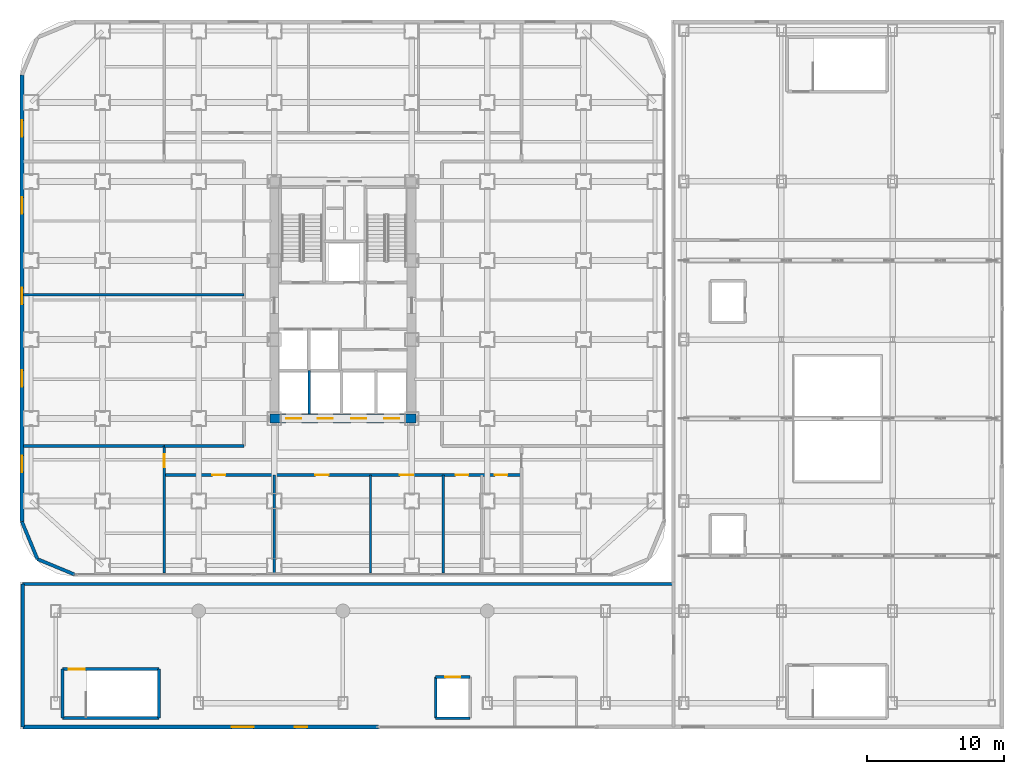
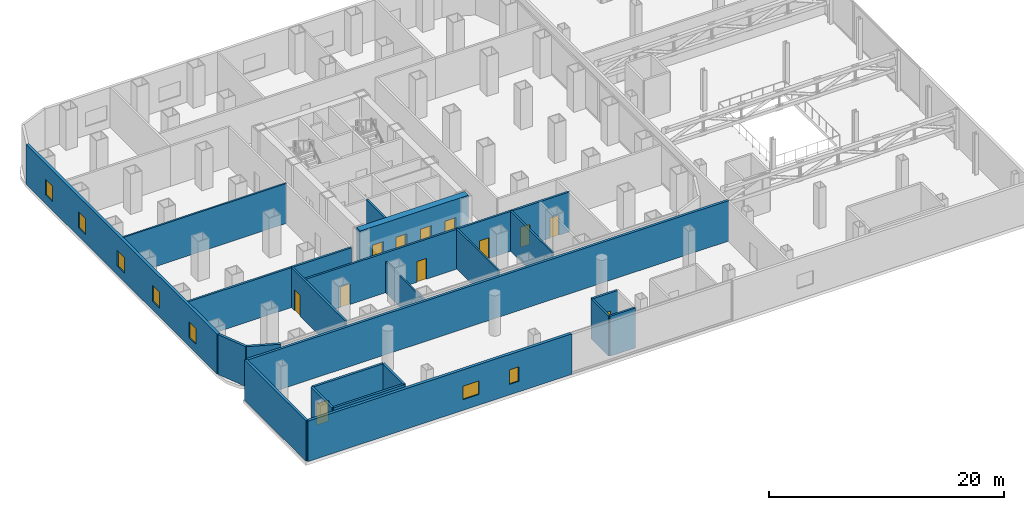
# One storey, part 22 of 28: 23 walls, 12 doors, 7 windows, 19 openings.
"""IFC4 building model written with IfcOpenShell, lengths in metres."""

from ifc_helpers import new_model, si_unit, direction, frame, frame_2d, origin, place, context, subcontext, project, spatial, rectangle, extrude, material, layer, layer_set, type_object, element, fill, save


model = new_model("IFC4")

# Units and contexts
model_context = context("Model", 3, precision=1e-05, world=origin(), true_north=direction((0.0, 1.0)))
body_context = subcontext(model_context, "Body", "Model", "MODEL_VIEW")
ifc_project = project(units=[si_unit("LENGTHUNIT", "METRE"), si_unit("AREAUNIT", "SQUARE_METRE"), si_unit("VOLUMEUNIT", "CUBIC_METRE"), si_unit("PLANEANGLEUNIT", "RADIAN"), si_unit("MASSUNIT", "GRAM", prefix="KILO")], contexts=[model_context])

# Site, building, storey
site_placement = place(None, origin())
site = spatial("IfcSite", under=ifc_project, at=site_placement, CompositionType="ELEMENT")
building_placement = place(site_placement, origin())
building = spatial("IfcBuilding", under=site, at=building_placement, Name="Kolveth Station Tower", CompositionType="ELEMENT")
storey_placement = place(building_placement, frame((0.0, 0.0, 18.0)))
storey = spatial("IfcBuildingStorey", under=building, at=storey_placement, Name="L04", CompositionType="ELEMENT", Elevation=18.0)

# Wall, openings, doors
ifc_material_1 = material(Name="Concrete C60/75", Category="concrete")
ifc_layer_1 = layer(ifc_material_1, 0.64990234375)
ifc_layer_set_1 = layer_set([ifc_layer_1], Name="Concrete C60/75")
wall_type_1 = type_object("IfcWallType", Name="Wall_CW-650", PredefinedType="SHEAR", material=ifc_layer_set_1)
wall_1_placement = place(storey_placement, frame((18.175048828125, 11.5, 0.0), z_axis=(0.0, 0.0, 1.0), x_axis=(1.0, 0.0, 0.0)))
wall_1 = element("IfcWall", 1, at=wall_1_placement, inside=storey, type_object=wall_type_1, Name="L04 Core RC Shear Wall S", PredefinedType="SHEAR", context=body_context, shape_type="SweptSolid", body=[
    extrude(rectangle(XDim=10.64990234375, YDim=0.64990234375, at=frame_2d((5.324951171875, 0.0))), origin(), (0.0, 0.0, 1.0), 4.139892578125),
])
opening_1_placement = place(wall_1_placement, frame((1.195068359375, 0.0, 0.0)))
opening_1 = element("IfcOpeningElement", 2, at=opening_1_placement, cuts=wall_1, Name="Opening LD1", PredefinedType="OPENING", context=body_context, shape_type="SweptSolid", body=[
    extrude(rectangle(XDim=1.10009765625, YDim=2.25, at=frame_2d((0.550048828125, 1.125))), frame((0.0, 0.3349609375, 0.0), z_axis=(0.0, -1.0, 0.0), x_axis=(1.0, 0.0, 0.0)), (0.0, 0.0, 1.0), 0.669921875),
])
opening_2_placement = place(wall_1_placement, frame((3.4951171875, 0.0, 0.0)))
opening_2 = element("IfcOpeningElement", 3, at=opening_2_placement, cuts=wall_1, Name="Opening LD1", PredefinedType="OPENING", context=body_context, shape_type="SweptSolid", body=[
    extrude(rectangle(XDim=1.10009765625, YDim=2.25, at=frame_2d((0.550048828125, 1.125))), frame((0.0, 0.3349609375, 0.0), z_axis=(0.0, -1.0, 0.0), x_axis=(1.0, 0.0, 0.0)), (0.0, 0.0, 1.0), 0.669921875),
])
opening_3_placement = place(wall_1_placement, frame((5.925048828125, 0.0, 0.0)))
opening_3 = element("IfcOpeningElement", 4, at=opening_3_placement, cuts=wall_1, Name="Opening LD1", PredefinedType="OPENING", context=body_context, shape_type="SweptSolid", body=[
    extrude(rectangle(XDim=1.10009765625, YDim=2.25, at=frame_2d((0.550048828125, 1.125))), frame((0.0, 0.3349609375, 0.0), z_axis=(0.0, -1.0, 0.0), x_axis=(1.0, 0.0, 0.0)), (0.0, 0.0, 1.0), 0.669921875),
])
opening_4_placement = place(wall_1_placement, frame((8.324951171875, 0.0, 0.0)))
opening_4 = element("IfcOpeningElement", 5, at=opening_4_placement, cuts=wall_1, Name="Opening LD1", PredefinedType="OPENING", context=body_context, shape_type="SweptSolid", body=[
    extrude(rectangle(XDim=1.10009765625, YDim=2.25, at=frame_2d((0.550048828125, 1.125))), frame((0.0, 0.3349609375, 0.0), z_axis=(0.0, -1.0, 0.0), x_axis=(1.0, 0.0, 0.0)), (0.0, 0.0, 1.0), 0.669921875),
])
ifc_material_2 = material(Name="Brushed stainless steel sliding landing doors", Category="steel")
door_type_1 = type_object("IfcDoorType", Name="Door_LD1", OperationType="NOTDEFINED", PredefinedType="DOOR", material=ifc_material_2)
door_1_placement = place(opening_1_placement, frame((1.10009765625, 0.0, 0.0), z_axis=(0.0, 0.0, 1.0), x_axis=(-1.0, 0.0, 0.0)))
door_1 = element("IfcDoor", 6, at=door_1_placement, inside=storey, type_object=door_type_1, Name="L04 Lift PL1 Landing Door", OperationType="DOUBLE_DOOR_SLIDING", OverallHeight=2.25, OverallWidth=1.10009765625, PredefinedType="DOOR", context=body_context, shape_type="SweptSolid", body=[
    extrude(rectangle(XDim=1.10009765625, YDim=2.25, at=frame_2d((0.550048828125, 1.125))), frame((0.0, 0.02490234375, 0.0), z_axis=(0.0, -1.0, 0.0), x_axis=(1.0, 0.0, 0.0)), (0.0, 0.0, 1.0), 0.050048828125),
])
fill(opening_1, door_1)
door_2_placement = place(opening_2_placement, frame((1.10009765625, 0.0, 0.0), z_axis=(0.0, 0.0, 1.0), x_axis=(-1.0, 0.0, 0.0)))
door_2 = element("IfcDoor", 7, at=door_2_placement, inside=storey, type_object=door_type_1, Name="L04 Lift PL2 Landing Door", OperationType="DOUBLE_DOOR_SLIDING", OverallHeight=2.25, OverallWidth=1.10009765625, PredefinedType="DOOR", context=body_context, shape_type="SweptSolid", body=[
    extrude(rectangle(XDim=1.10009765625, YDim=2.25, at=frame_2d((0.550048828125, 1.125))), frame((0.0, 0.02490234375, 0.0), z_axis=(0.0, -1.0, 0.0), x_axis=(1.0, 0.0, 0.0)), (0.0, 0.0, 1.0), 0.050048828125),
])
fill(opening_2, door_2)
door_3_placement = place(opening_3_placement, frame((1.10009765625, 0.0, 0.0), z_axis=(0.0, 0.0, 1.0), x_axis=(-1.0, 0.0, 0.0)))
door_3 = element("IfcDoor", 8, at=door_3_placement, inside=storey, type_object=door_type_1, Name="L04 Lift PM1 Landing Door", OperationType="DOUBLE_DOOR_SLIDING", OverallHeight=2.25, OverallWidth=1.10009765625, PredefinedType="DOOR", context=body_context, shape_type="SweptSolid", body=[
    extrude(rectangle(XDim=1.10009765625, YDim=2.25, at=frame_2d((0.550048828125, 1.125))), frame((0.0, 0.02490234375, 0.0), z_axis=(0.0, -1.0, 0.0), x_axis=(1.0, 0.0, 0.0)), (0.0, 0.0, 1.0), 0.050048828125),
])
fill(opening_3, door_3)
door_4_placement = place(opening_4_placement, frame((1.10009765625, 0.0, 0.0), z_axis=(0.0, 0.0, 1.0), x_axis=(-1.0, 0.0, 0.0)))
door_4 = element("IfcDoor", 9, at=door_4_placement, inside=storey, type_object=door_type_1, Name="L04 Lift PH1 Landing Door", OperationType="DOUBLE_DOOR_SLIDING", OverallHeight=2.25, OverallWidth=1.10009765625, PredefinedType="DOOR", context=body_context, shape_type="SweptSolid", body=[
    extrude(rectangle(XDim=1.10009765625, YDim=2.25, at=frame_2d((0.550048828125, 1.125))), frame((0.0, 0.02490234375, 0.0), z_axis=(0.0, -1.0, 0.0), x_axis=(1.0, 0.0, 0.0)), (0.0, 0.0, 1.0), 0.050048828125),
])
fill(opening_4, door_4)

# Walls
ifc_material_3 = material(Name="Precast concrete C40/50", Category="concrete")
ifc_layer_2 = layer(ifc_material_3, 0.239990234375)
ifc_layer_set_2 = layer_set([ifc_layer_2], Name="Precast concrete C40/50")
wall_type_2 = type_object("IfcWallType", Name="Wall_EW-240", PredefinedType="SOLIDWALL", material=ifc_layer_set_2)
for number, where, z_axis, x_axis, name in (
    (10, (0.139892578125, 4.0, 0.0), (0.0, 0.0, 1.0), (0.382689947836, -0.923876833688, 0.0), "L04 Podium Rounded Corner Wall 7"),
    (11, (1.2705078125, 1.2705078125, 0.0), (0.0, 0.0, 1.0), (0.923876833688, -0.382689947836, 0.0), "L04 Podium Rounded Corner Wall 8"),
):
    element("IfcWall", number, at=place(storey_placement, frame(where, z_axis=z_axis, x_axis=x_axis)), inside=storey, type_object=wall_type_2, Name=name, PredefinedType="SOLIDWALL", context=body_context, shape_type="SweptSolid", body=[
        extrude(rectangle(XDim=2.954345703125, YDim=0.239990234375, at=frame_2d((1.47705078125, 0.0))), origin(), (0.0, 0.0, 1.0), 4.139892578125),
    ])
wall_2_placement = place(storey_placement, frame((0.199951171875, -10.949951171875, 0.0), z_axis=(0.0, 0.0, 1.0), x_axis=(0.0, 1.0, 0.0)))
element("IfcWall", 12, at=wall_2_placement, inside=storey, type_object=wall_type_2, Name="L04 Station Exterior Wall W1", PredefinedType="SOLIDWALL", context=body_context, shape_type="SweptSolid", body=[
    extrude(rectangle(XDim=10.409912109375, YDim=0.239990234375, at=frame_2d((5.205078125, 0.0))), origin(), (0.0, 0.0, 1.0), 4.199951171875),
])
wall_3_placement = place(storey_placement, frame((0.199951171875, -0.5400390625, 0.0), z_axis=(0.0, 0.0, 1.0), x_axis=(1.0, 0.0, 0.0)))
element("IfcWall", 13, at=wall_3_placement, inside=storey, type_object=wall_type_2, Name="L04 Station Exterior Wall JS", PredefinedType="SOLIDWALL", context=body_context, shape_type="SweptSolid", body=[
    extrude(rectangle(XDim=47.340087890625, YDim=0.239990234375, at=frame_2d((23.669921875, 0.0))), origin(), (0.0, 0.0, 1.0), 4.199951171875),
])

# Wall, openings, windows
ifc_layer_3 = layer(ifc_material_3, 0.280029296875)
ifc_layer_set_3 = layer_set([ifc_layer_3], Name="Precast concrete C40/50")
wall_type_3 = type_object("IfcWallType", Name="Wall_EW-280", PredefinedType="SOLIDWALL", material=ifc_layer_set_3)
wall_4_placement = place(storey_placement, frame((0.139892578125, 4.0, 0.0), z_axis=(0.0, 0.0, 1.0), x_axis=(0.0, 1.0, 0.0)))
wall_4 = element("IfcWall", 14, at=wall_4_placement, inside=storey, type_object=wall_type_3, Name="L04 Tower Podium West Exterior Wall", PredefinedType="SOLIDWALL", context=body_context, shape_type="SweptSolid", body=[
    extrude(rectangle(XDim=32.5, YDim=0.280029296875, at=frame_2d((16.25, 0.0))), origin(), (0.0, 0.0, 1.0), 4.139892578125),
])
opening_5_placement = place(wall_4_placement, frame((3.60009765625, 0.0, 0.89990234375)))
opening_5 = element("IfcOpeningElement", 15, at=opening_5_placement, cuts=wall_4, Name="Opening W4", PredefinedType="OPENING", context=body_context, shape_type="SweptSolid", body=[
    extrude(rectangle(XDim=1.199951171875, YDim=1.64990234375, at=frame_2d((0.60009765625, 0.824951171875))), frame((0.0, 0.14990234375, 0.0), z_axis=(0.0, -1.0, 0.0), x_axis=(1.0, 0.0, 0.0)), (0.0, 0.0, 1.0), 0.300048828125),
])
opening_6_placement = place(wall_4_placement, frame((9.800048828125, 0.0, 0.89990234375)))
opening_6 = element("IfcOpeningElement", 16, at=opening_6_placement, cuts=wall_4, Name="Opening W4", PredefinedType="OPENING", context=body_context, shape_type="SweptSolid", body=[
    extrude(rectangle(XDim=1.199951171875, YDim=1.64990234375, at=frame_2d((0.60009765625, 0.824951171875))), frame((0.0, 0.14990234375, 0.0), z_axis=(0.0, -1.0, 0.0), x_axis=(1.0, 0.0, 0.0)), (0.0, 0.0, 1.0), 0.300048828125),
])
opening_7_placement = place(wall_4_placement, frame((15.800048828125, 0.0, 0.89990234375)))
opening_7 = element("IfcOpeningElement", 17, at=opening_7_placement, cuts=wall_4, Name="Opening W4", PredefinedType="OPENING", context=body_context, shape_type="SweptSolid", body=[
    extrude(rectangle(XDim=1.199951171875, YDim=1.64990234375, at=frame_2d((0.60009765625, 0.824951171875))), frame((0.0, 0.14990234375, 0.0), z_axis=(0.0, -1.0, 0.0), x_axis=(1.0, 0.0, 0.0)), (0.0, 0.0, 1.0), 0.300048828125),
])
opening_8_placement = place(wall_4_placement, frame((22.39990234375, 0.0, 0.89990234375)))
opening_8 = element("IfcOpeningElement", 18, at=opening_8_placement, cuts=wall_4, Name="Opening W4", PredefinedType="OPENING", context=body_context, shape_type="SweptSolid", body=[
    extrude(rectangle(XDim=1.199951171875, YDim=1.64990234375, at=frame_2d((0.60009765625, 0.824951171875))), frame((0.0, 0.14990234375, 0.0), z_axis=(0.0, -1.0, 0.0), x_axis=(1.0, 0.0, 0.0)), (0.0, 0.0, 1.0), 0.300048828125),
])
opening_9_placement = place(wall_4_placement, frame((28.0, 0.0, 0.89990234375)))
opening_9 = element("IfcOpeningElement", 19, at=opening_9_placement, cuts=wall_4, Name="Opening W4", PredefinedType="OPENING", context=body_context, shape_type="SweptSolid", body=[
    extrude(rectangle(XDim=1.199951171875, YDim=1.64990234375, at=frame_2d((0.60009765625, 0.824951171875))), frame((0.0, 0.14990234375, 0.0), z_axis=(0.0, -1.0, 0.0), x_axis=(1.0, 0.0, 0.0)), (0.0, 0.0, 1.0), 0.300048828125),
])
ifc_material_4 = material(Name="Black anodized aluminium 6063-T6 and low-E dark glass", Category="aluminium")
window_type_1 = type_object("IfcWindowType", Name="Win_W4", PartitioningType="SINGLE_PANEL", PredefinedType="WINDOW", material=ifc_material_4)
window_1_placement = place(opening_5_placement, origin())
window_1 = element("IfcWindow", 20, at=window_1_placement, inside=storey, type_object=window_type_1, Name="L04 Tower Podium West Window 1", OverallHeight=1.64990234375, OverallWidth=1.199951171875, PartitioningType="SINGLE_PANEL", PredefinedType="WINDOW", context=body_context, shape_type="SweptSolid", body=[
    extrude(rectangle(XDim=1.199951171875, YDim=1.64990234375, at=frame_2d((0.60009765625, 0.824951171875))), frame((0.0, 0.030029296875, 0.0), z_axis=(0.0, -1.0, 0.0), x_axis=(1.0, 0.0, 0.0)), (0.0, 0.0, 1.0), 0.06005859375),
])
fill(opening_5, window_1)
window_2_placement = place(opening_6_placement, origin())
window_2 = element("IfcWindow", 21, at=window_2_placement, inside=storey, type_object=window_type_1, Name="L04 Tower Podium West Window 2", OverallHeight=1.64990234375, OverallWidth=1.199951171875, PartitioningType="SINGLE_PANEL", PredefinedType="WINDOW", context=body_context, shape_type="SweptSolid", body=[
    extrude(rectangle(XDim=1.199951171875, YDim=1.64990234375, at=frame_2d((0.60009765625, 0.824951171875))), frame((0.0, 0.030029296875, 0.0), z_axis=(0.0, -1.0, 0.0), x_axis=(1.0, 0.0, 0.0)), (0.0, 0.0, 1.0), 0.06005859375),
])
fill(opening_6, window_2)
window_3_placement = place(opening_7_placement, origin())
window_3 = element("IfcWindow", 22, at=window_3_placement, inside=storey, type_object=window_type_1, Name="L04 Tower Podium West Window 3", OverallHeight=1.64990234375, OverallWidth=1.199951171875, PartitioningType="SINGLE_PANEL", PredefinedType="WINDOW", context=body_context, shape_type="SweptSolid", body=[
    extrude(rectangle(XDim=1.199951171875, YDim=1.64990234375, at=frame_2d((0.60009765625, 0.824951171875))), frame((0.0, 0.030029296875, 0.0), z_axis=(0.0, -1.0, 0.0), x_axis=(1.0, 0.0, 0.0)), (0.0, 0.0, 1.0), 0.06005859375),
])
fill(opening_7, window_3)
window_4_placement = place(opening_8_placement, origin())
window_4 = element("IfcWindow", 23, at=window_4_placement, inside=storey, type_object=window_type_1, Name="L04 Tower Podium West Window 4", OverallHeight=1.64990234375, OverallWidth=1.199951171875, PartitioningType="SINGLE_PANEL", PredefinedType="WINDOW", context=body_context, shape_type="SweptSolid", body=[
    extrude(rectangle(XDim=1.199951171875, YDim=1.64990234375, at=frame_2d((0.60009765625, 0.824951171875))), frame((0.0, 0.030029296875, 0.0), z_axis=(0.0, -1.0, 0.0), x_axis=(1.0, 0.0, 0.0)), (0.0, 0.0, 1.0), 0.06005859375),
])
fill(opening_8, window_4)
window_5_placement = place(opening_9_placement, origin())
window_5 = element("IfcWindow", 24, at=window_5_placement, inside=storey, type_object=window_type_1, Name="L04 Tower Podium West Window 5", OverallHeight=1.64990234375, OverallWidth=1.199951171875, PartitioningType="SINGLE_PANEL", PredefinedType="WINDOW", context=body_context, shape_type="SweptSolid", body=[
    extrude(rectangle(XDim=1.199951171875, YDim=1.64990234375, at=frame_2d((0.60009765625, 0.824951171875))), frame((0.0, 0.030029296875, 0.0), z_axis=(0.0, -1.0, 0.0), x_axis=(1.0, 0.0, 0.0)), (0.0, 0.0, 1.0), 0.06005859375),
])
fill(opening_9, window_5)

wall_5_placement = place(storey_placement, frame((0.199951171875, -10.949951171875, 0.0), z_axis=(0.0, 0.0, 1.0), x_axis=(1.0, 0.0, 0.0)))
wall_5 = element("IfcWall", 25, at=wall_5_placement, inside=storey, type_object=wall_type_3, Name="L04 Station Exterior Wall S1", PredefinedType="SOLIDWALL", context=body_context, shape_type="SweptSolid", body=[
    extrude(rectangle(XDim=25.900146484375, YDim=0.280029296875, at=frame_2d((12.9501953125, 0.0))), origin(), (0.0, 0.0, 1.0), 4.199951171875),
])
opening_10_placement = place(wall_5_placement, frame((15.199951171875, 0.0, 1.10009765625)))
opening_10 = element("IfcOpeningElement", 26, at=opening_10_placement, cuts=wall_5, Name="Opening W7", PredefinedType="OPENING", context=body_context, shape_type="SweptSolid", body=[
    extrude(rectangle(XDim=1.60009765625, YDim=1.39990234375, at=frame_2d((0.800048828125, 0.699951171875))), frame((0.0, 0.14990234375, 0.0), z_axis=(0.0, -1.0, 0.0), x_axis=(1.0, 0.0, 0.0)), (0.0, 0.0, 1.0), 0.300048828125),
])
opening_11_placement = place(wall_5_placement, frame((19.800048828125, 0.0, 1.10009765625)))
opening_11 = element("IfcOpeningElement", 27, at=opening_11_placement, cuts=wall_5, Name="Opening W8", PredefinedType="OPENING", context=body_context, shape_type="SweptSolid", body=[
    extrude(rectangle(XDim=0.89990234375, YDim=1.5, at=frame_2d((0.449951171875, 0.75))), frame((0.0, 0.14990234375, 0.0), z_axis=(0.0, -1.0, 0.0), x_axis=(1.0, 0.0, 0.0)), (0.0, 0.0, 1.0), 0.300048828125),
])
ifc_material_5 = material(Name="Black anodized aluminium 6063-T6 and triple low-E glass", Category="aluminium")
window_type_2 = type_object("IfcWindowType", Name="Win_W7", PartitioningType="SINGLE_PANEL", PredefinedType="WINDOW", material=ifc_material_5)
window_6_placement = place(opening_10_placement, origin())
window_6 = element("IfcWindow", 28, at=window_6_placement, inside=storey, type_object=window_type_2, Name="L04 Station Hall Window 1", OverallHeight=1.39990234375, OverallWidth=1.60009765625, PartitioningType="SINGLE_PANEL", PredefinedType="WINDOW", context=body_context, shape_type="SweptSolid", body=[
    extrude(rectangle(XDim=1.60009765625, YDim=1.39990234375, at=frame_2d((0.800048828125, 0.699951171875))), frame((0.0, 0.030029296875, 0.0), z_axis=(0.0, -1.0, 0.0), x_axis=(1.0, 0.0, 0.0)), (0.0, 0.0, 1.0), 0.06005859375),
])
fill(opening_10, window_6)
ifc_material_6 = material(Name="Black anodized aluminium 6063-T6 and frosted glass", Category="aluminium")
window_type_3 = type_object("IfcWindowType", Name="Win_W8", PartitioningType="SINGLE_PANEL", PredefinedType="WINDOW", material=ifc_material_6)
window_7_placement = place(opening_11_placement, origin())
window_7 = element("IfcWindow", 29, at=window_7_placement, inside=storey, type_object=window_type_3, Name="L04 Station Hall Window 2", OverallHeight=1.5, OverallWidth=0.89990234375, PartitioningType="SINGLE_PANEL", PredefinedType="WINDOW", context=body_context, shape_type="SweptSolid", body=[
    extrude(rectangle(XDim=0.89990234375, YDim=1.5, at=frame_2d((0.449951171875, 0.75))), frame((0.0, 0.030029296875, 0.0), z_axis=(0.0, -1.0, 0.0), x_axis=(1.0, 0.0, 0.0)), (0.0, 0.0, 1.0), 0.06005859375),
])
fill(opening_11, window_7)

# Walls
ifc_material_7 = material(Name="Acoustic double-stud gypsum partition")
ifc_layer_4 = layer(ifc_material_7, 0.1650390625)
ifc_layer_set_4 = layer_set([ifc_layer_4], Name="Acoustic double-stud gypsum partition")
wall_type_4 = type_object("IfcWallType", Name="Wall_IW-165", PredefinedType="PARTITIONING", material=ifc_layer_set_4)
wall_6_placement = place(storey_placement, frame((18.5, 0.25, 0.0), z_axis=(0.0, 0.0, 1.0), x_axis=(0.0, 1.0, 0.0)))
element("IfcWall", 30, at=wall_6_placement, inside=storey, type_object=wall_type_4, Name="L04 Partition Wall WL-L04-TPS-P1", PredefinedType="PARTITIONING", context=body_context, shape_type="SweptSolid", body=[
    extrude(rectangle(XDim=7.14990234375, YDim=0.1650390625, at=frame_2d((3.574951171875, 0.0))), origin(), (0.0, 0.0, 1.0), 3.212890625),
])
for number, where, z_axis, x_axis, name in (
    (31, (25.5, 0.25, 0.0), (0.0, 0.0, 1.0), (0.0, 1.0, 0.0), "L04 Partition Wall WL-L04-TPS-P2"),
    (32, (30.800048828125, 0.25, 0.0), (0.0, 0.0, 1.0), (0.0, 1.0, 0.0), "L04 Partition Wall WL-L04-TPS-P3"),
):
    element("IfcWall", number, at=place(storey_placement, frame(where, z_axis=z_axis, x_axis=x_axis)), inside=storey, type_object=wall_type_4, Name=name, PredefinedType="PARTITIONING", context=body_context, shape_type="SweptSolid", body=[
        extrude(rectangle(XDim=7.14990234375, YDim=0.1650390625, at=frame_2d((3.574951171875, 0.0))), origin(), (0.0, 0.0, 1.0), 4.139892578125),
    ])
wall_7_placement = place(storey_placement, frame((0.25, 20.5, 0.0), z_axis=(0.0, 0.0, 1.0), x_axis=(1.0, 0.0, 0.0)))
element("IfcWall", 33, at=wall_7_placement, inside=storey, type_object=wall_type_4, Name="L04 Partition Wall WL-L04-TPW-P1", PredefinedType="PARTITIONING", context=body_context, shape_type="SweptSolid", body=[
    extrude(rectangle(XDim=16.050048828125, YDim=0.1650390625, at=frame_2d((8.02490234375, 0.0))), origin(), (0.0, 0.0, 1.0), 4.139892578125),
])
ifc_material_8 = material(Name="Acoustic fire-rated gypsum blockwork", Category="masonry")
ifc_layer_5 = layer(ifc_material_8, 0.199951171875)
ifc_layer_set_5 = layer_set([ifc_layer_5], Name="Acoustic fire-rated gypsum blockwork")
wall_type_5 = type_object("IfcWallType", Name="Wall_IW-200", PredefinedType="PARTITIONING", material=ifc_layer_set_5)
wall_8_placement = place(storey_placement, frame((21.050048828125, 11.8349609375, 0.0), z_axis=(0.0, 0.0, 1.0), x_axis=(0.0, 1.0, 0.0)))
element("IfcWall", 34, at=wall_8_placement, inside=storey, type_object=wall_type_5, Name="L04 Partition Wall WL-L04-PL12", PredefinedType="PARTITIONING", context=body_context, shape_type="SweptSolid", body=[
    extrude(rectangle(XDim=3.1650390625, YDim=0.199951171875, at=frame_2d((1.58251953125, 0.0))), origin(), (0.0, 0.0, 1.0), 4.139892578125),
])

# Wall, openings, doors
wall_9_placement = place(storey_placement, frame((10.5, 7.39990234375, 0.0), z_axis=(0.0, 0.0, 1.0), x_axis=(1.0, 0.0, 0.0)))
wall_9 = element("IfcWall", 35, at=wall_9_placement, inside=storey, type_object=wall_type_5, Name="L04 Partition Wall WL-L04-BS", PredefinedType="PARTITIONING", context=body_context, shape_type="SweptSolid", body=[
    extrude(rectangle(XDim=26.0, YDim=0.199951171875, at=frame_2d((13.0, 0.0))), origin(), (0.0, 0.0, 1.0), 4.139892578125),
])
opening_12_placement = place(wall_9_placement, frame((3.5, 0.0, 0.0)))
opening_12 = element("IfcOpeningElement", 36, at=opening_12_placement, cuts=wall_9, Name="Opening ID1", PredefinedType="OPENING", context=body_context, shape_type="SweptSolid", body=[
    extrude(rectangle(XDim=0.949951171875, YDim=2.14990234375, at=frame_2d((0.47509765625, 1.074951171875))), frame((0.0, 0.10986328125, 0.0), z_axis=(0.0, -1.0, 0.0), x_axis=(1.0, 0.0, 0.0)), (0.0, 0.0, 1.0), 0.219970703125),
])
opening_13_placement = place(wall_9_placement, frame((11.0, 0.0, 0.0)))
opening_13 = element("IfcOpeningElement", 37, at=opening_13_placement, cuts=wall_9, Name="Opening ID1", PredefinedType="OPENING", context=body_context, shape_type="SweptSolid", body=[
    extrude(rectangle(XDim=0.949951171875, YDim=2.14990234375, at=frame_2d((0.47509765625, 1.074951171875))), frame((0.0, 0.10986328125, 0.0), z_axis=(0.0, -1.0, 0.0), x_axis=(1.0, 0.0, 0.0)), (0.0, 0.0, 1.0), 0.219970703125),
])
opening_14_placement = place(wall_9_placement, frame((17.14990234375, 0.0, 0.0)))
opening_14 = element("IfcOpeningElement", 38, at=opening_14_placement, cuts=wall_9, Name="Opening ID1", PredefinedType="OPENING", context=body_context, shape_type="SweptSolid", body=[
    extrude(rectangle(XDim=0.949951171875, YDim=2.14990234375, at=frame_2d((0.47509765625, 1.074951171875))), frame((0.0, 0.10986328125, 0.0), z_axis=(0.0, -1.0, 0.0), x_axis=(1.0, 0.0, 0.0)), (0.0, 0.0, 1.0), 0.219970703125),
])
opening_15_placement = place(wall_9_placement, frame((21.199951171875, 0.0, 0.0)))
opening_15 = element("IfcOpeningElement", 39, at=opening_15_placement, cuts=wall_9, Name="Opening ID2", PredefinedType="OPENING", context=body_context, shape_type="SweptSolid", body=[
    extrude(rectangle(XDim=0.919921875, YDim=2.10009765625, at=frame_2d((0.4599609375, 1.050048828125))), frame((0.0, 0.10986328125, 0.0), z_axis=(0.0, -1.0, 0.0), x_axis=(1.0, 0.0, 0.0)), (0.0, 0.0, 1.0), 0.219970703125),
])
opening_16_placement = place(wall_9_placement, frame((24.050048828125, 0.0, 0.0)))
opening_16 = element("IfcOpeningElement", 40, at=opening_16_placement, cuts=wall_9, Name="Opening ID2", PredefinedType="OPENING", context=body_context, shape_type="SweptSolid", body=[
    extrude(rectangle(XDim=0.919921875, YDim=2.10009765625, at=frame_2d((0.4599609375, 1.050048828125))), frame((0.0, 0.10986328125, 0.0), z_axis=(0.0, -1.0, 0.0), x_axis=(1.0, 0.0, 0.0)), (0.0, 0.0, 1.0), 0.219970703125),
])
ifc_material_9 = material(Name="Acoustic hardwood leaf and aluminium frame", Category="wood")
door_type_2 = type_object("IfcDoorType", Name="Door_ID1", OperationType="NOTDEFINED", PredefinedType="DOOR", material=ifc_material_9)
door_5_placement = place(opening_12_placement, frame((0.949951171875, 0.0, 0.0), z_axis=(0.0, 0.0, 1.0), x_axis=(-1.0, 0.0, 0.0)))
door_5 = element("IfcDoor", 41, at=door_5_placement, inside=storey, type_object=door_type_2, Name="L04 Wellness Treatment Room 1 Door", OperationType="SINGLE_SWING_LEFT", OverallHeight=2.14990234375, OverallWidth=0.949951171875, PredefinedType="DOOR", context=body_context, shape_type="SweptSolid", body=[
    extrude(rectangle(XDim=0.949951171875, YDim=2.14990234375, at=frame_2d((0.47509765625, 1.074951171875))), frame((0.0, 0.02490234375, 0.0), z_axis=(0.0, -1.0, 0.0), x_axis=(1.0, 0.0, 0.0)), (0.0, 0.0, 1.0), 0.050048828125),
])
fill(opening_12, door_5)
door_6_placement = place(opening_13_placement, frame((0.949951171875, 0.0, 0.0), z_axis=(0.0, 0.0, 1.0), x_axis=(-1.0, 0.0, 0.0)))
door_6 = element("IfcDoor", 42, at=door_6_placement, inside=storey, type_object=door_type_2, Name="L04 Wellness Treatment Room 2 Door", OperationType="SINGLE_SWING_LEFT", OverallHeight=2.14990234375, OverallWidth=0.949951171875, PredefinedType="DOOR", context=body_context, shape_type="SweptSolid", body=[
    extrude(rectangle(XDim=0.949951171875, YDim=2.14990234375, at=frame_2d((0.47509765625, 1.074951171875))), frame((0.0, 0.02490234375, 0.0), z_axis=(0.0, -1.0, 0.0), x_axis=(1.0, 0.0, 0.0)), (0.0, 0.0, 1.0), 0.050048828125),
])
fill(opening_13, door_6)
door_7_placement = place(opening_14_placement, frame((0.949951171875, 0.0, 0.0), z_axis=(0.0, 0.0, 1.0), x_axis=(-1.0, 0.0, 0.0)))
door_7 = element("IfcDoor", 43, at=door_7_placement, inside=storey, type_object=door_type_2, Name="L04 Podium Catering Pantry Door", OperationType="SINGLE_SWING_RIGHT", OverallHeight=2.14990234375, OverallWidth=0.949951171875, PredefinedType="DOOR", context=body_context, shape_type="SweptSolid", body=[
    extrude(rectangle(XDim=0.949951171875, YDim=2.14990234375, at=frame_2d((0.47509765625, 1.074951171875))), frame((0.0, 0.02490234375, 0.0), z_axis=(0.0, -1.0, 0.0), x_axis=(1.0, 0.0, 0.0)), (0.0, 0.0, 1.0), 0.050048828125),
])
fill(opening_14, door_7)
ifc_material_10 = material(Name="Moisture-resistant hardwood leaf", Category="wood")
door_type_3 = type_object("IfcDoorType", Name="Door_ID2", OperationType="NOTDEFINED", PredefinedType="DOOR", material=ifc_material_10)
door_8_placement = place(opening_15_placement, frame((0.919921875, 0.0, 0.0), z_axis=(0.0, 0.0, 1.0), x_axis=(-1.0, 0.0, 0.0)))
door_8 = element("IfcDoor", 44, at=door_8_placement, inside=storey, type_object=door_type_3, Name="L04 Podium Public Toilet Door", OperationType="SINGLE_SWING_LEFT", OverallHeight=2.10009765625, OverallWidth=0.919921875, PredefinedType="DOOR", context=body_context, shape_type="SweptSolid", body=[
    extrude(rectangle(XDim=0.919921875, YDim=2.10009765625, at=frame_2d((0.4599609375, 1.050048828125))), frame((0.0, 0.02490234375, 0.0), z_axis=(0.0, -1.0, 0.0), x_axis=(1.0, 0.0, 0.0)), (0.0, 0.0, 1.0), 0.050048828125),
])
fill(opening_15, door_8)
door_9_placement = place(opening_16_placement, frame((0.919921875, 0.0, 0.0), z_axis=(0.0, 0.0, 1.0), x_axis=(-1.0, 0.0, 0.0)))
door_9 = element("IfcDoor", 45, at=door_9_placement, inside=storey, type_object=door_type_3, Name="L04 Accessible Podium WC Door", OperationType="SINGLE_SWING_RIGHT", OverallHeight=2.10009765625, OverallWidth=0.919921875, PredefinedType="DOOR", context=body_context, shape_type="SweptSolid", body=[
    extrude(rectangle(XDim=0.919921875, YDim=2.10009765625, at=frame_2d((0.4599609375, 1.050048828125))), frame((0.0, 0.02490234375, 0.0), z_axis=(0.0, -1.0, 0.0), x_axis=(1.0, 0.0, 0.0)), (0.0, 0.0, 1.0), 0.050048828125),
])
fill(opening_16, door_9)

# Wall
wall_10_placement = place(storey_placement, frame((10.5, 9.5, 0.0), z_axis=(0.0, 0.0, 1.0), x_axis=(1.0, 0.0, 0.0)))
element("IfcWall", 46, at=wall_10_placement, inside=storey, type_object=wall_type_5, Name="L04 Partition Wall WL-L04-BSWT", PredefinedType="PARTITIONING", context=body_context, shape_type="SweptSolid", body=[
    extrude(rectangle(XDim=5.800048828125, YDim=0.199951171875, at=frame_2d((2.89990234375, 0.0))), origin(), (0.0, 0.0, 1.0), 4.139892578125),
])

# Wall, opening, door
wall_11_placement = place(storey_placement, frame((10.5, 0.25, 0.0), z_axis=(0.0, 0.0, 1.0), x_axis=(0.0, 1.0, 0.0)))
wall_11 = element("IfcWall", 47, at=wall_11_placement, inside=storey, type_object=wall_type_5, Name="L04 Partition Wall WL-L04-BWS", PredefinedType="PARTITIONING", context=body_context, shape_type="SweptSolid", body=[
    extrude(rectangle(XDim=9.25, YDim=0.199951171875, at=frame_2d((4.625, 0.0))), origin(), (0.0, 0.0, 1.0), 4.139892578125),
])
opening_17_placement = place(wall_11_placement, frame((7.699951171875, 0.0, 0.0)))
opening_17 = element("IfcOpeningElement", 48, at=opening_17_placement, cuts=wall_11, Name="Opening ID1", PredefinedType="OPENING", context=body_context, shape_type="SweptSolid", body=[
    extrude(rectangle(XDim=0.949951171875, YDim=2.14990234375, at=frame_2d((0.47509765625, 1.074951171875))), frame((0.0, 0.10986328125, 0.0), z_axis=(0.0, -1.0, 0.0), x_axis=(1.0, 0.0, 0.0)), (0.0, 0.0, 1.0), 0.219970703125),
])
door_10_placement = place(opening_17_placement, frame((0.949951171875, 0.0, 0.0), z_axis=(0.0, 0.0, 1.0), x_axis=(-1.0, 0.0, 0.0)))
door_10 = element("IfcDoor", 49, at=door_10_placement, inside=storey, type_object=door_type_2, Name="L04 Podium Clinic Office CSW Door", OperationType="SINGLE_SWING_RIGHT", OverallHeight=2.14990234375, OverallWidth=0.949951171875, PredefinedType="DOOR", context=body_context, shape_type="SweptSolid", body=[
    extrude(rectangle(XDim=0.949951171875, YDim=2.14990234375, at=frame_2d((0.47509765625, 1.074951171875))), frame((0.0, 0.02490234375, 0.0), z_axis=(0.0, -1.0, 0.0), x_axis=(1.0, 0.0, 0.0)), (0.0, 0.0, 1.0), 0.050048828125),
])
fill(opening_17, door_10)

# Walls
wall_12_placement = place(storey_placement, frame((0.25, 9.5, 0.0), z_axis=(0.0, 0.0, 1.0), x_axis=(1.0, 0.0, 0.0)))
element("IfcWall", 50, at=wall_12_placement, inside=storey, type_object=wall_type_5, Name="L04 Partition Wall WL-L04-BWM1", PredefinedType="PARTITIONING", context=body_context, shape_type="SweptSolid", body=[
    extrude(rectangle(XDim=10.25, YDim=0.199951171875, at=frame_2d((5.125, 0.0))), origin(), (0.0, 0.0, 1.0), 4.139892578125),
])
wall_13_placement = place(storey_placement, frame((30.25, -10.300048828125, 0.0), z_axis=(0.0, 0.0, 1.0), x_axis=(1.0, 0.0, 0.0)))
element("IfcWall", 51, at=wall_13_placement, inside=storey, type_object=wall_type_5, Name="L04 Partition Wall WL-L04-SL3-S", PredefinedType="PARTITIONING", context=body_context, shape_type="SweptSolid", body=[
    extrude(rectangle(XDim=2.5, YDim=0.199951171875, at=frame_2d((1.25, 0.0))), origin(), (0.0, 0.0, 1.0), 4.139892578125),
])

# Wall, opening, door
wall_14_placement = place(storey_placement, frame((30.25, -7.300048828125, 0.0), z_axis=(0.0, 0.0, 1.0), x_axis=(1.0, 0.0, 0.0)))
wall_14 = element("IfcWall", 52, at=wall_14_placement, inside=storey, type_object=wall_type_5, Name="L04 Partition Wall WL-L04-SL3-N", PredefinedType="PARTITIONING", context=body_context, shape_type="SweptSolid", body=[
    extrude(rectangle(XDim=2.5, YDim=0.199951171875, at=frame_2d((1.25, 0.0))), origin(), (0.0, 0.0, 1.0), 4.139892578125),
])
opening_18_placement = place(wall_14_placement, frame((0.699951171875, 0.0, 0.0)))
opening_18 = element("IfcOpeningElement", 53, at=opening_18_placement, cuts=wall_14, Name="Opening LD1", PredefinedType="OPENING", context=body_context, shape_type="SweptSolid", body=[
    extrude(rectangle(XDim=1.10009765625, YDim=2.25, at=frame_2d((0.550048828125, 1.125))), frame((0.0, 0.10986328125, 0.0), z_axis=(0.0, -1.0, 0.0), x_axis=(1.0, 0.0, 0.0)), (0.0, 0.0, 1.0), 0.219970703125),
])
door_11_placement = place(opening_18_placement, origin())
door_11 = element("IfcDoor", 54, at=door_11_placement, inside=storey, type_object=door_type_1, Name="L04 Station Lift SL3 Landing Door", OperationType="DOUBLE_DOOR_SLIDING", OverallHeight=2.25, OverallWidth=1.10009765625, PredefinedType="DOOR", context=body_context, shape_type="SweptSolid", body=[
    extrude(rectangle(XDim=1.10009765625, YDim=2.25, at=frame_2d((0.550048828125, 1.125))), frame((0.0, 0.02490234375, 0.0), z_axis=(0.0, -1.0, 0.0), x_axis=(1.0, 0.0, 0.0)), (0.0, 0.0, 1.0), 0.050048828125),
])
fill(opening_18, door_11)

# Walls
wall_15_placement = place(storey_placement, frame((30.25, -10.300048828125, 0.0), z_axis=(0.0, 0.0, 1.0), x_axis=(0.0, 1.0, 0.0)))
element("IfcWall", 55, at=wall_15_placement, inside=storey, type_object=wall_type_5, Name="L04 Partition Wall WL-L04-SL3-W", PredefinedType="PARTITIONING", context=body_context, shape_type="SweptSolid", body=[
    extrude(rectangle(XDim=3.0, YDim=0.199951171875, at=frame_2d((1.5, 0.0))), origin(), (0.0, 0.0, 1.0), 4.139892578125),
])
ifc_material_11 = material(Name="Concrete C40/50", Category="concrete")
ifc_layer_6 = layer(ifc_material_11, 0.219970703125)
ifc_layer_set_6 = layer_set([ifc_layer_6], Name="Concrete C40/50")
wall_type_6 = type_object("IfcWallType", Name="Wall_IW-220", PredefinedType="SOLIDWALL", material=ifc_layer_set_6)
wall_16_placement = place(storey_placement, frame((3.10009765625, -10.300048828125, 0.0), z_axis=(0.0, 0.0, 1.0), x_axis=(1.0, 0.0, 0.0)))
element("IfcWall", 56, at=wall_16_placement, inside=storey, type_object=wall_type_6, Name="L04 Stair Shaft Wall WL-L04-ST5-S", PredefinedType="SOLIDWALL", context=body_context, shape_type="SweptSolid", body=[
    extrude(rectangle(XDim=7.0, YDim=0.219970703125, at=frame_2d((3.5, 0.0))), origin(), (0.0, 0.0, 1.0), 4.139892578125),
])

# Wall, opening, door
wall_17_placement = place(storey_placement, frame((3.10009765625, -6.739990234375, 0.0), z_axis=(0.0, 0.0, 1.0), x_axis=(1.0, 0.0, 0.0)))
wall_17 = element("IfcWall", 57, at=wall_17_placement, inside=storey, type_object=wall_type_6, Name="L04 Stair Shaft Wall WL-L04-ST5-N", PredefinedType="SOLIDWALL", context=body_context, shape_type="SweptSolid", body=[
    extrude(rectangle(XDim=7.0, YDim=0.219970703125, at=frame_2d((3.5, 0.0))), origin(), (0.0, 0.0, 1.0), 4.139892578125),
])
opening_19_placement = place(wall_17_placement, frame((0.449951171875, 0.0, 0.0)))
opening_19 = element("IfcOpeningElement", 58, at=opening_19_placement, cuts=wall_17, Name="Opening FD1", PredefinedType="OPENING", context=body_context, shape_type="SweptSolid", body=[
    extrude(rectangle(XDim=1.14990234375, YDim=2.199951171875, at=frame_2d((0.574951171875, 1.10009765625))), frame((0.0, 0.119873046875, 0.0), z_axis=(0.0, -1.0, 0.0), x_axis=(1.0, 0.0, 0.0)), (0.0, 0.0, 1.0), 0.239990234375),
])
ifc_material_12 = material(Name="Fire-rated Steel S355 leaf and frame", Category="steel")
door_type_4 = type_object("IfcDoorType", Name="Door_FD1", OperationType="NOTDEFINED", PredefinedType="DOOR", material=ifc_material_12)
door_12_placement = place(opening_19_placement, origin())
door_12 = element("IfcDoor", 59, at=door_12_placement, inside=storey, type_object=door_type_4, Name="L04 Station Stair ST5 Door", OperationType="SINGLE_SWING_LEFT", OverallHeight=2.199951171875, OverallWidth=1.14990234375, PredefinedType="DOOR", context=body_context, shape_type="SweptSolid", body=[
    extrude(rectangle(XDim=1.14990234375, YDim=2.199951171875, at=frame_2d((0.574951171875, 1.10009765625))), frame((0.0, 0.02490234375, 0.0), z_axis=(0.0, -1.0, 0.0), x_axis=(1.0, 0.0, 0.0)), (0.0, 0.0, 1.0), 0.050048828125),
])
fill(opening_19, door_12)

# Walls
for number, where, z_axis, x_axis, name in (
    (60, (3.10009765625, -10.300048828125, 0.0), (0.0, 0.0, 1.0), (0.0, 1.0, 0.0), "L04 Stair Shaft Wall WL-L04-ST5-W"),
    (61, (10.10009765625, -10.300048828125, 0.0), (0.0, 0.0, 1.0), (0.0, 1.0, 0.0), "L04 Stair Shaft Wall WL-L04-ST5-E"),
):
    element("IfcWall", number, at=place(storey_placement, frame(where, z_axis=z_axis, x_axis=x_axis)), inside=storey, type_object=wall_type_6, Name=name, PredefinedType="SOLIDWALL", context=body_context, shape_type="SweptSolid", body=[
        extrude(rectangle(XDim=3.56005859375, YDim=0.219970703125, at=frame_2d((1.780029296875, 0.0))), origin(), (0.0, 0.0, 1.0), 4.139892578125),
    ])

save(model, "model.ifc")
